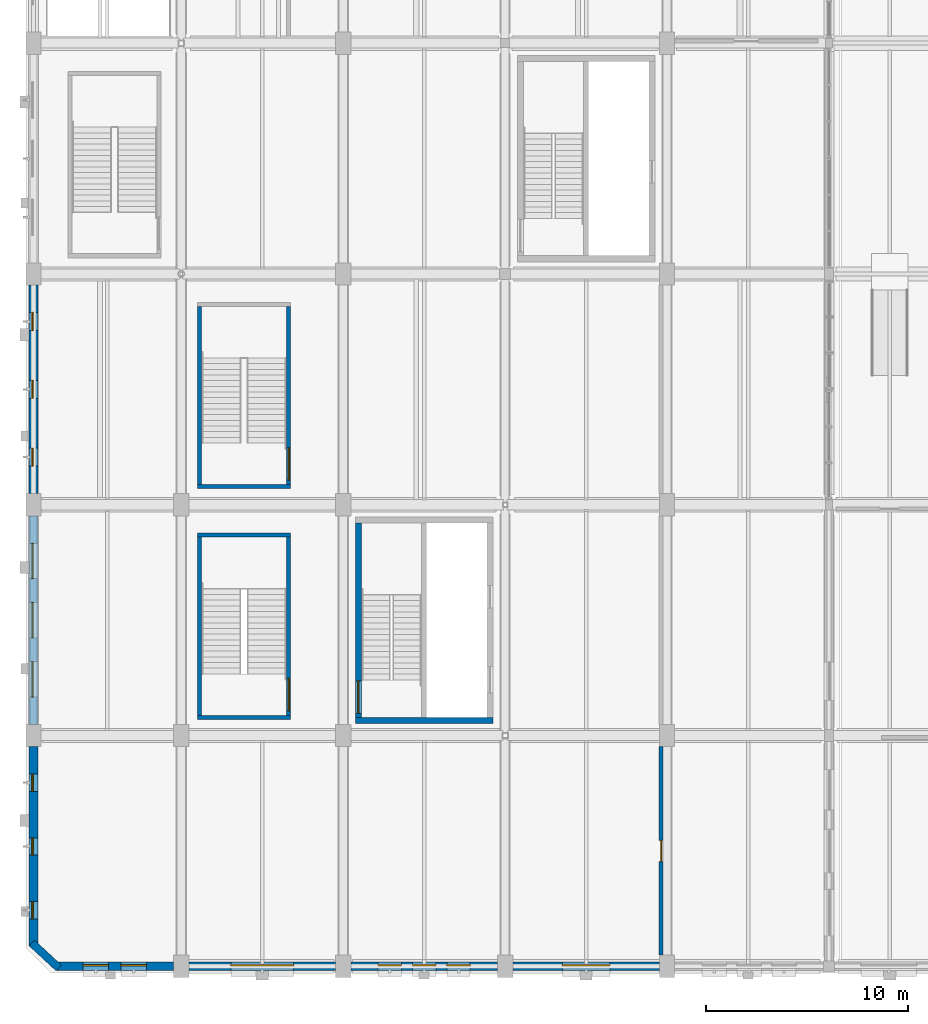
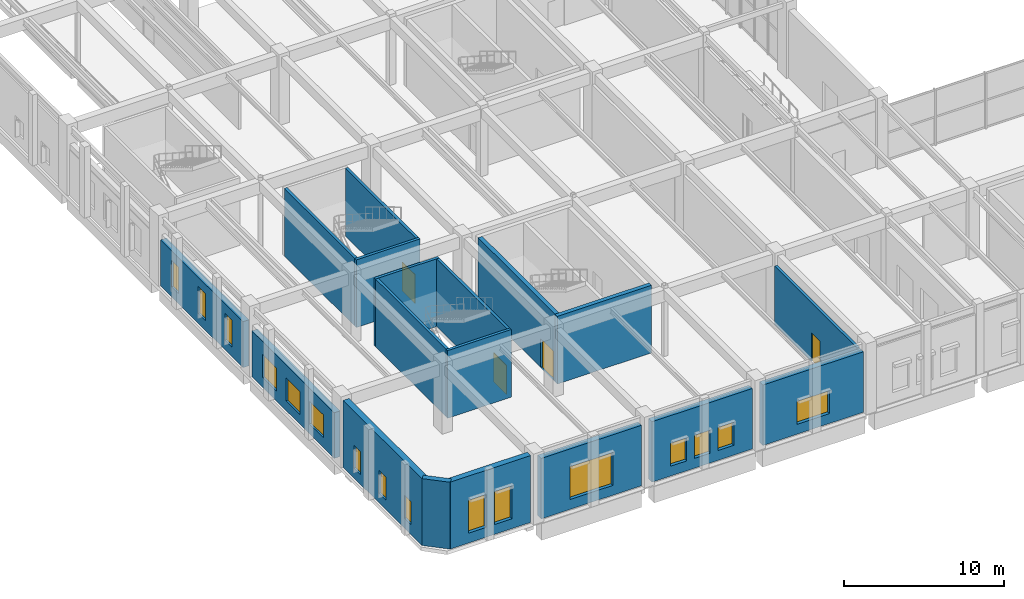
# One storey, part 82 of 113: 18 walls, 16 windows, 4 doors, 20 openings.
"""IFC4 building model written with IfcOpenShell, lengths in metres."""

from ifc_helpers import new_model, si_unit, direction, frame, frame_2d, origin, place, context, subcontext, project, spatial, rectangle, extrude, material, layer, layer_set, type_object, element, fill, save


model = new_model("IFC4")

# Units and contexts
model_context = context("Model", 3, precision=1e-05, world=origin(), true_north=direction((0.0, 1.0)))
body_context = subcontext(model_context, "Body", "Model", "MODEL_VIEW")
ifc_project = project(units=[si_unit("LENGTHUNIT", "METRE"), si_unit("AREAUNIT", "SQUARE_METRE"), si_unit("VOLUMEUNIT", "CUBIC_METRE"), si_unit("PLANEANGLEUNIT", "RADIAN"), si_unit("MASSUNIT", "GRAM", prefix="KILO"), si_unit("POWERUNIT", "WATT"), si_unit("THERMODYNAMICTEMPERATUREUNIT", "KELVIN")], contexts=[model_context])

# Site, building, storey
site_placement = place(None, origin())
site = spatial("IfcSite", under=ifc_project, at=site_placement, CompositionType="ELEMENT")
building_placement = place(site_placement, origin())
building = spatial("IfcBuilding", under=site, at=building_placement, Name="Kelmbourne Parkland Aquatics Centre", CompositionType="ELEMENT")
storey_placement = place(building_placement, origin())
storey = spatial("IfcBuildingStorey", under=building, at=storey_placement, Name="L00", CompositionType="ELEMENT", Elevation=0.0)

# Wall
ifc_material_1 = material(Name="Concrete C40/50", Category="concrete")
ifc_layer_1 = layer(ifc_material_1, 0.300048828125)
ifc_layer_set_1 = layer_set([ifc_layer_1], Name="Concrete C40/50")
wall_type_1 = type_object("IfcWallType", Name="W-CORE-300", PredefinedType="SHEAR", material=ifc_layer_set_1)
wall_1_placement = place(storey_placement, frame((16.60009765625, 12.949951171875, 0.0), z_axis=(0.0, 0.0, 1.0), x_axis=(1.0, 0.0, 0.0)))
element("IfcWall", 1, at=wall_1_placement, inside=storey, type_object=wall_type_1, Name="West Wing South Fire-Fighting Core south wall (L00)", PredefinedType="SHEAR", context=body_context, shape_type="SweptSolid", body=[
    extrude(rectangle(XDim=6.7998046875, YDim=0.300048828125, at=frame_2d((3.39990234375, 0.0))), origin(), (0.0, 0.0, 1.0), 5.159912109375),
])

# Wall, opening, door
wall_2_placement = place(storey_placement, frame((16.75, 13.10009765625, 0.0), z_axis=(0.0, 0.0, 1.0), x_axis=(0.0, 1.0, 0.0)))
wall_2 = element("IfcWall", 2, at=wall_2_placement, inside=storey, type_object=wall_type_1, Name="West Wing South Fire-Fighting Core west wall (L00)", PredefinedType="SHEAR", context=body_context, shape_type="SweptSolid", body=[
    extrude(rectangle(XDim=9.599853515625, YDim=0.300048828125, at=frame_2d((4.7998046875, 0.0))), origin(), (0.0, 0.0, 1.0), 5.159912109375),
])
opening_1_placement = place(wall_2_placement, frame((0.199951171875, 0.0, 0.0)))
opening_1 = element("IfcOpeningElement", 3, at=opening_1_placement, cuts=wall_2, Name="Opening FD02", PredefinedType="OPENING", context=body_context, shape_type="SweptSolid", body=[
    extrude(rectangle(XDim=1.60009765625, YDim=2.199951171875, at=frame_2d((0.800048828125, 1.10009765625))), frame((0.0, 0.162109375, 0.0), z_axis=(0.0, -1.0, 0.0), x_axis=(1.0, 0.0, 0.0)), (0.0, 0.0, 1.0), 0.323974609375),
])
ifc_material_2 = material(Name="Marine-grade stainless steel and fire-rated hardwood doorset", Category="steel")
ifc_layer_2 = layer(ifc_material_2, 0.050048828125)
ifc_layer_set_2 = layer_set([ifc_layer_2], Name="Marine-grade stainless steel and fire-rated hardwood doorset")
door_type_1 = type_object("IfcDoorType", Name="DR-FD-160", OperationType="NOTDEFINED", PredefinedType="DOOR", material=ifc_layer_set_2)
door_1_placement = place(opening_1_placement, origin())
door_1 = element("IfcDoor", 4, at=door_1_placement, inside=storey, type_object=door_type_1, Name="Fire stair door ST01 (L00)", OperationType="DOUBLE_DOOR_SINGLE_SWING", OverallHeight=2.199951171875, OverallWidth=1.60009765625, PredefinedType="DOOR", context=body_context, shape_type="SweptSolid", body=[
    extrude(rectangle(XDim=1.60009765625, YDim=2.199951171875, at=frame_2d((0.800048828125, 1.10009765625))), frame((0.0, 0.02490234375, 0.0), z_axis=(0.0, -1.0, 0.0), x_axis=(1.0, 0.0, 0.0)), (0.0, 0.0, 1.0), 0.050048828125),
])
fill(opening_1, door_1)

# Wall
ifc_material_3 = material(Name="Russet clinker clay brickwork", Category="masonry")
ifc_layer_3 = layer(ifc_material_3, 0.389892578125)
ifc_layer_set_3 = layer_set([ifc_layer_3], Name="Russet clinker clay brickwork")
wall_type_2 = type_object("IfcWallType", Name="W-EXT-390", PredefinedType="STANDARD", material=ifc_layer_set_3)
wall_3_placement = place(storey_placement, frame((0.6201171875, 1.949951171875, 0.0), z_axis=(0.0, 0.0, 1.0), x_axis=(0.734131351327, -0.679007480812, 0.0)))
element("IfcWall", 5, at=wall_3_placement, inside=storey, type_object=wall_type_2, Name="Stepped brick corner bevel CHAM-L00-SW", PredefinedType="STANDARD", context=body_context, shape_type="SweptSolid", body=[
    extrude(rectangle(XDim=1.8115234375, YDim=0.389892578125, at=frame_2d((0.90576171875, 0.0))), origin(), (0.0, 0.0, 1.0), 5.10009765625),
])

# Wall, openings, windows
ifc_material_4 = material(Name="Dark manganite base-course brickwork", Category="masonry")
ifc_layer_4 = layer(ifc_material_4, 0.429931640625)
ifc_layer_set_4 = layer_set([ifc_layer_4], Name="Dark manganite base-course brickwork")
wall_type_3 = type_object("IfcWallType", Name="W-EXT-430", PredefinedType="STANDARD", material=ifc_layer_set_4)
wall_4_placement = place(storey_placement, frame((0.699951171875, 1.800048828125, 0.0), z_axis=(0.0, 0.0, 1.0), x_axis=(0.0, 1.0, 0.0)))
wall_4 = element("IfcWall", 6, at=wall_4_placement, inside=storey, type_object=wall_type_3, Name="Exterior polychrome brick wall EW-L00-001", PredefinedType="STANDARD", context=body_context, shape_type="SweptSolid", body=[
    extrude(rectangle(XDim=9.847900390625, YDim=0.429931640625, at=frame_2d((4.923828125, 0.0))), origin(), (0.0, 0.0, 1.0), 5.10009765625),
])
opening_2_placement = place(wall_4_placement, frame((1.35009765625, 0.0, 0.75)))
opening_2 = element("IfcOpeningElement", 7, at=opening_2_placement, cuts=wall_4, Name="Opening W01", PredefinedType="OPENING", context=body_context, shape_type="SweptSolid", body=[
    extrude(rectangle(XDim=0.85009765625, YDim=1.75, at=frame_2d((0.425048828125, 0.875))), frame((0.0, 0.22705078125, 0.0), z_axis=(0.0, -1.0, 0.0), x_axis=(1.0, 0.0, 0.0)), (0.0, 0.0, 1.0), 0.453857421875),
])
opening_3_placement = place(wall_4_placement, frame((4.4990234375, 0.0, 0.75)))
opening_3 = element("IfcOpeningElement", 8, at=opening_3_placement, cuts=wall_4, Name="Opening W01", PredefinedType="OPENING", context=body_context, shape_type="SweptSolid", body=[
    extrude(rectangle(XDim=0.85009765625, YDim=1.75, at=frame_2d((0.425048828125, 0.875))), frame((0.0, 0.22705078125, 0.0), z_axis=(0.0, -1.0, 0.0), x_axis=(1.0, 0.0, 0.0)), (0.0, 0.0, 1.0), 0.453857421875),
])
opening_4_placement = place(wall_4_placement, frame((7.64794921875, 0.0, 0.75)))
opening_4 = element("IfcOpeningElement", 9, at=opening_4_placement, cuts=wall_4, Name="Opening W01", PredefinedType="OPENING", context=body_context, shape_type="SweptSolid", body=[
    extrude(rectangle(XDim=0.85009765625, YDim=1.75, at=frame_2d((0.425048828125, 0.875))), frame((0.0, 0.22705078125, 0.0), z_axis=(0.0, -1.0, 0.0), x_axis=(1.0, 0.0, 0.0)), (0.0, 0.0, 1.0), 0.453857421875),
])
ifc_material_5 = material(Name="Thermally broken anodised aluminium window with low-e glass", Category="aluminium")
ifc_layer_5 = layer(ifc_material_5, 0.090087890625)
ifc_layer_set_5 = layer_set([ifc_layer_5], Name="Thermally broken anodised aluminium window with low-e glass")
window_type_1 = type_object("IfcWindowType", Name="WN-01", PartitioningType="SINGLE_PANEL", PredefinedType="WINDOW", material=ifc_layer_set_5)
window_1_placement = place(opening_2_placement, origin())
window_1 = element("IfcWindow", 10, at=window_1_placement, inside=storey, type_object=window_type_1, Name="Deep-reveal masonry window W01", OverallHeight=1.75, OverallWidth=0.85009765625, PartitioningType="SINGLE_PANEL", PredefinedType="WINDOW", context=body_context, shape_type="SweptSolid", body=[
    extrude(rectangle(XDim=0.85009765625, YDim=1.75, at=frame_2d((0.425048828125, 0.875))), frame((0.0, 0.080078125, 0.0), z_axis=(0.0, -1.0, 0.0), x_axis=(1.0, 0.0, 0.0)), (0.0, 0.0, 1.0), 0.06005859375),
])
fill(opening_2, window_1)
window_2_placement = place(opening_3_placement, origin())
window_2 = element("IfcWindow", 11, at=window_2_placement, inside=storey, type_object=window_type_1, Name="Deep-reveal masonry window W01", OverallHeight=1.75, OverallWidth=0.85009765625, PartitioningType="SINGLE_PANEL", PredefinedType="WINDOW", context=body_context, shape_type="SweptSolid", body=[
    extrude(rectangle(XDim=0.85009765625, YDim=1.75, at=frame_2d((0.425048828125, 0.875))), frame((0.0, 0.080078125, 0.0), z_axis=(0.0, -1.0, 0.0), x_axis=(1.0, 0.0, 0.0)), (0.0, 0.0, 1.0), 0.06005859375),
])
fill(opening_3, window_2)
window_3_placement = place(opening_4_placement, origin())
window_3 = element("IfcWindow", 12, at=window_3_placement, inside=storey, type_object=window_type_1, Name="Deep-reveal masonry window W01", OverallHeight=1.75, OverallWidth=0.85009765625, PartitioningType="SINGLE_PANEL", PredefinedType="WINDOW", context=body_context, shape_type="SweptSolid", body=[
    extrude(rectangle(XDim=0.85009765625, YDim=1.75, at=frame_2d((0.425048828125, 0.875))), frame((0.0, 0.080078125, 0.0), z_axis=(0.0, -1.0, 0.0), x_axis=(1.0, 0.0, 0.0)), (0.0, 0.0, 1.0), 0.06005859375),
])
fill(opening_4, window_3)

wall_5_placement = place(storey_placement, frame((0.699951171875, 12.751953125, 0.0), z_axis=(0.0, 0.0, 1.0), x_axis=(0.0, 1.0, 0.0)))
wall_5 = element("IfcWall", 13, at=wall_5_placement, inside=storey, type_object=wall_type_3, Name="Exterior polychrome brick wall EW-L00-002", PredefinedType="STANDARD", context=body_context, shape_type="SweptSolid", body=[
    extrude(rectangle(XDim=10.296142578125, YDim=0.429931640625, at=frame_2d((5.14794921875, 0.0))), origin(), (0.0, 0.0, 1.0), 3.485107421875),
])
opening_5_placement = place(wall_5_placement, frame((1.35009765625, 0.0, 0.75)))
opening_5 = element("IfcOpeningElement", 14, at=opening_5_placement, cuts=wall_5, Name="Opening W04", PredefinedType="OPENING", context=body_context, shape_type="SweptSolid", body=[
    extrude(rectangle(XDim=1.75, YDim=1.75, at=frame_2d((0.875, 0.875))), frame((0.0, 0.22705078125, 0.0), z_axis=(0.0, -1.0, 0.0), x_axis=(1.0, 0.0, 0.0)), (0.0, 0.0, 1.0), 0.453857421875),
])
opening_6_placement = place(wall_5_placement, frame((4.27294921875, 0.0, 0.75)))
opening_6 = element("IfcOpeningElement", 15, at=opening_6_placement, cuts=wall_5, Name="Opening W04", PredefinedType="OPENING", context=body_context, shape_type="SweptSolid", body=[
    extrude(rectangle(XDim=1.75, YDim=1.75, at=frame_2d((0.875, 0.875))), frame((0.0, 0.22705078125, 0.0), z_axis=(0.0, -1.0, 0.0), x_axis=(1.0, 0.0, 0.0)), (0.0, 0.0, 1.0), 0.453857421875),
])
opening_7_placement = place(wall_5_placement, frame((7.196044921875, 0.0, 0.75)))
opening_7 = element("IfcOpeningElement", 16, at=opening_7_placement, cuts=wall_5, Name="Opening W04", PredefinedType="OPENING", context=body_context, shape_type="SweptSolid", body=[
    extrude(rectangle(XDim=1.75, YDim=1.75, at=frame_2d((0.875, 0.875))), frame((0.0, 0.22705078125, 0.0), z_axis=(0.0, -1.0, 0.0), x_axis=(1.0, 0.0, 0.0)), (0.0, 0.0, 1.0), 0.453857421875),
])
ifc_layer_6 = layer(ifc_material_5, 0.090087890625)
ifc_layer_set_6 = layer_set([ifc_layer_6], Name="Thermally broken anodised aluminium window with low-e glass")
window_type_2 = type_object("IfcWindowType", Name="WN-04", PartitioningType="DOUBLE_PANEL_VERTICAL", PredefinedType="WINDOW", material=ifc_layer_set_6)
window_4_placement = place(opening_5_placement, origin())
window_4 = element("IfcWindow", 17, at=window_4_placement, inside=storey, type_object=window_type_2, Name="Deep-reveal masonry window W04", OverallHeight=1.75, OverallWidth=1.75, PartitioningType="DOUBLE_PANEL_VERTICAL", PredefinedType="WINDOW", context=body_context, shape_type="SweptSolid", body=[
    extrude(rectangle(XDim=1.75, YDim=1.75, at=frame_2d((0.875, 0.875))), frame((0.0, 0.080078125, 0.0), z_axis=(0.0, -1.0, 0.0), x_axis=(1.0, 0.0, 0.0)), (0.0, 0.0, 1.0), 0.06005859375),
])
fill(opening_5, window_4)
window_5_placement = place(opening_6_placement, origin())
window_5 = element("IfcWindow", 18, at=window_5_placement, inside=storey, type_object=window_type_2, Name="Deep-reveal masonry window W04", OverallHeight=1.75, OverallWidth=1.75, PartitioningType="DOUBLE_PANEL_VERTICAL", PredefinedType="WINDOW", context=body_context, shape_type="SweptSolid", body=[
    extrude(rectangle(XDim=1.75, YDim=1.75, at=frame_2d((0.875, 0.875))), frame((0.0, 0.080078125, 0.0), z_axis=(0.0, -1.0, 0.0), x_axis=(1.0, 0.0, 0.0)), (0.0, 0.0, 1.0), 0.06005859375),
])
fill(opening_6, window_5)
window_6_placement = place(opening_7_placement, origin())
window_6 = element("IfcWindow", 19, at=window_6_placement, inside=storey, type_object=window_type_2, Name="Deep-reveal masonry window W04", OverallHeight=1.75, OverallWidth=1.75, PartitioningType="DOUBLE_PANEL_VERTICAL", PredefinedType="WINDOW", context=body_context, shape_type="SweptSolid", body=[
    extrude(rectangle(XDim=1.75, YDim=1.75, at=frame_2d((0.875, 0.875))), frame((0.0, 0.080078125, 0.0), z_axis=(0.0, -1.0, 0.0), x_axis=(1.0, 0.0, 0.0)), (0.0, 0.0, 1.0), 0.06005859375),
])
fill(opening_7, window_6)

wall_6_placement = place(storey_placement, frame((0.699951171875, 24.152099609375, 0.0), z_axis=(0.0, 0.0, 1.0), x_axis=(0.0, 1.0, 0.0)))
wall_6 = element("IfcWall", 20, at=wall_6_placement, inside=storey, type_object=wall_type_3, Name="Exterior polychrome brick wall EW-L00-003", PredefinedType="STANDARD", context=body_context, shape_type="SweptSolid", body=[
    extrude(rectangle(XDim=10.2958984375, YDim=0.429931640625, at=frame_2d((5.14794921875, 0.0))), origin(), (0.0, 0.0, 1.0), 3.510009765625),
])
opening_8_placement = place(wall_6_placement, frame((1.35009765625, 0.0, 0.75)))
opening_8 = element("IfcOpeningElement", 21, at=opening_8_placement, cuts=wall_6, Name="Opening W07", PredefinedType="OPENING", context=body_context, shape_type="SweptSolid", body=[
    extrude(rectangle(XDim=0.89990234375, YDim=2.050048828125, at=frame_2d((0.449951171875, 1.02490234375))), frame((0.0, 0.22705078125, 0.0), z_axis=(0.0, -1.0, 0.0), x_axis=(1.0, 0.0, 0.0)), (0.0, 0.0, 1.0), 0.453857421875),
])
opening_9_placement = place(wall_6_placement, frame((4.697998046875, 0.0, 0.75)))
opening_9 = element("IfcOpeningElement", 22, at=opening_9_placement, cuts=wall_6, Name="Opening W07", PredefinedType="OPENING", context=body_context, shape_type="SweptSolid", body=[
    extrude(rectangle(XDim=0.89990234375, YDim=2.050048828125, at=frame_2d((0.449951171875, 1.02490234375))), frame((0.0, 0.22705078125, 0.0), z_axis=(0.0, -1.0, 0.0), x_axis=(1.0, 0.0, 0.0)), (0.0, 0.0, 1.0), 0.453857421875),
])
opening_10_placement = place(wall_6_placement, frame((8.0458984375, 0.0, 0.75)))
opening_10 = element("IfcOpeningElement", 23, at=opening_10_placement, cuts=wall_6, Name="Opening W07", PredefinedType="OPENING", context=body_context, shape_type="SweptSolid", body=[
    extrude(rectangle(XDim=0.89990234375, YDim=2.050048828125, at=frame_2d((0.449951171875, 1.02490234375))), frame((0.0, 0.22705078125, 0.0), z_axis=(0.0, -1.0, 0.0), x_axis=(1.0, 0.0, 0.0)), (0.0, 0.0, 1.0), 0.453857421875),
])
ifc_layer_7 = layer(ifc_material_5, 0.090087890625)
ifc_layer_set_7 = layer_set([ifc_layer_7], Name="Thermally broken anodised aluminium window with low-e glass")
window_type_3 = type_object("IfcWindowType", Name="WN-07", PartitioningType="SINGLE_PANEL", PredefinedType="WINDOW", material=ifc_layer_set_7)
window_7_placement = place(opening_8_placement, origin())
window_7 = element("IfcWindow", 24, at=window_7_placement, inside=storey, type_object=window_type_3, Name="Deep-reveal masonry window W07", OverallHeight=2.050048828125, OverallWidth=0.89990234375, PartitioningType="SINGLE_PANEL", PredefinedType="WINDOW", context=body_context, shape_type="SweptSolid", body=[
    extrude(rectangle(XDim=0.89990234375, YDim=2.050048828125, at=frame_2d((0.449951171875, 1.02490234375))), frame((0.0, 0.080078125, 0.0), z_axis=(0.0, -1.0, 0.0), x_axis=(1.0, 0.0, 0.0)), (0.0, 0.0, 1.0), 0.06005859375),
])
fill(opening_8, window_7)
window_8_placement = place(opening_9_placement, origin())
window_8 = element("IfcWindow", 25, at=window_8_placement, inside=storey, type_object=window_type_3, Name="Deep-reveal masonry window W07", OverallHeight=2.050048828125, OverallWidth=0.89990234375, PartitioningType="SINGLE_PANEL", PredefinedType="WINDOW", context=body_context, shape_type="SweptSolid", body=[
    extrude(rectangle(XDim=0.89990234375, YDim=2.050048828125, at=frame_2d((0.449951171875, 1.02490234375))), frame((0.0, 0.080078125, 0.0), z_axis=(0.0, -1.0, 0.0), x_axis=(1.0, 0.0, 0.0)), (0.0, 0.0, 1.0), 0.06005859375),
])
fill(opening_9, window_8)
window_9_placement = place(opening_10_placement, origin())
window_9 = element("IfcWindow", 26, at=window_9_placement, inside=storey, type_object=window_type_3, Name="Deep-reveal masonry window W07", OverallHeight=2.050048828125, OverallWidth=0.89990234375, PartitioningType="SINGLE_PANEL", PredefinedType="WINDOW", context=body_context, shape_type="SweptSolid", body=[
    extrude(rectangle(XDim=0.89990234375, YDim=2.050048828125, at=frame_2d((0.449951171875, 1.02490234375))), frame((0.0, 0.080078125, 0.0), z_axis=(0.0, -1.0, 0.0), x_axis=(1.0, 0.0, 0.0)), (0.0, 0.0, 1.0), 0.06005859375),
])
fill(opening_10, window_9)

wall_7_placement = place(storey_placement, frame((1.800048828125, 0.800048828125, 0.0), z_axis=(0.0, 0.0, 1.0), x_axis=(1.0, 0.0, 0.0)))
wall_7 = element("IfcWall", 27, at=wall_7_placement, inside=storey, type_object=wall_type_3, Name="Exterior polychrome brick wall EW-L00-010", PredefinedType="STANDARD", context=body_context, shape_type="SweptSolid", body=[
    extrude(rectangle(XDim=5.822998046875, YDim=0.429931640625, at=frame_2d((2.91162109375, 0.0))), origin(), (0.0, 0.0, 1.0), 5.10009765625),
])
opening_11_placement = place(wall_7_placement, frame((1.35009765625, 0.0, 0.75)))
opening_11 = element("IfcOpeningElement", 28, at=opening_11_placement, cuts=wall_7, Name="Opening W25", PredefinedType="OPENING", context=body_context, shape_type="SweptSolid", body=[
    extrude(rectangle(XDim=1.25, YDim=2.5, at=frame_2d((0.625, 1.25))), frame((0.0, 0.22705078125, 0.0), z_axis=(0.0, -1.0, 0.0), x_axis=(1.0, 0.0, 0.0)), (0.0, 0.0, 1.0), 0.453857421875),
])
opening_12_placement = place(wall_7_placement, frame((3.222900390625, 0.0, 0.75)))
opening_12 = element("IfcOpeningElement", 29, at=opening_12_placement, cuts=wall_7, Name="Opening W25", PredefinedType="OPENING", context=body_context, shape_type="SweptSolid", body=[
    extrude(rectangle(XDim=1.25, YDim=2.5, at=frame_2d((0.625, 1.25))), frame((0.0, 0.22705078125, 0.0), z_axis=(0.0, -1.0, 0.0), x_axis=(1.0, 0.0, 0.0)), (0.0, 0.0, 1.0), 0.453857421875),
])
ifc_layer_8 = layer(ifc_material_5, 0.090087890625)
ifc_layer_set_8 = layer_set([ifc_layer_8], Name="Thermally broken anodised aluminium window with low-e glass")
window_type_4 = type_object("IfcWindowType", Name="WN-25", PartitioningType="SINGLE_PANEL", PredefinedType="WINDOW", material=ifc_layer_set_8)
window_10_placement = place(opening_11_placement, origin())
window_10 = element("IfcWindow", 30, at=window_10_placement, inside=storey, type_object=window_type_4, Name="Deep-reveal masonry window W25", OverallHeight=2.5, OverallWidth=1.25, PartitioningType="SINGLE_PANEL", PredefinedType="WINDOW", context=body_context, shape_type="SweptSolid", body=[
    extrude(rectangle(XDim=1.25, YDim=2.5, at=frame_2d((0.625, 1.25))), frame((0.0, 0.080078125, 0.0), z_axis=(0.0, -1.0, 0.0), x_axis=(1.0, 0.0, 0.0)), (0.0, 0.0, 1.0), 0.06005859375),
])
fill(opening_11, window_10)
window_11_placement = place(opening_12_placement, origin())
window_11 = element("IfcWindow", 31, at=window_11_placement, inside=storey, type_object=window_type_4, Name="Deep-reveal masonry window W25", OverallHeight=2.5, OverallWidth=1.25, PartitioningType="SINGLE_PANEL", PredefinedType="WINDOW", context=body_context, shape_type="SweptSolid", body=[
    extrude(rectangle(XDim=1.25, YDim=2.5, at=frame_2d((0.625, 1.25))), frame((0.0, 0.080078125, 0.0), z_axis=(0.0, -1.0, 0.0), x_axis=(1.0, 0.0, 0.0)), (0.0, 0.0, 1.0), 0.06005859375),
])
fill(opening_12, window_11)

# Wall, opening, window
wall_8_placement = place(storey_placement, frame((8.376953125, 0.800048828125, 0.0), z_axis=(0.0, 0.0, 1.0), x_axis=(1.0, 0.0, 0.0)))
wall_8 = element("IfcWall", 32, at=wall_8_placement, inside=storey, type_object=wall_type_3, Name="Exterior polychrome brick wall EW-L00-011", PredefinedType="STANDARD", context=body_context, shape_type="SweptSolid", body=[
    extrude(rectangle(XDim=7.24609375, YDim=0.429931640625, at=frame_2d((3.623046875, 0.0))), origin(), (0.0, 0.0, 1.0), 4.612060546875),
])
opening_13_placement = place(wall_8_placement, frame((2.072998046875, 0.0, 0.75)))
opening_13 = element("IfcOpeningElement", 33, at=opening_13_placement, cuts=wall_8, Name="Opening W28", PredefinedType="OPENING", context=body_context, shape_type="SweptSolid", body=[
    extrude(rectangle(XDim=3.10009765625, YDim=2.5, at=frame_2d((1.550048828125, 1.25))), frame((0.0, 0.22705078125, 0.0), z_axis=(0.0, -1.0, 0.0), x_axis=(1.0, 0.0, 0.0)), (0.0, 0.0, 1.0), 0.453857421875),
])
ifc_layer_9 = layer(ifc_material_5, 0.090087890625)
ifc_layer_set_9 = layer_set([ifc_layer_9], Name="Thermally broken anodised aluminium window with low-e glass")
window_type_5 = type_object("IfcWindowType", Name="WN-28", PartitioningType="TRIPLE_PANEL_VERTICAL", PredefinedType="WINDOW", material=ifc_layer_set_9)
window_12_placement = place(opening_13_placement, origin())
window_12 = element("IfcWindow", 34, at=window_12_placement, inside=storey, type_object=window_type_5, Name="Deep-reveal masonry window W28", OverallHeight=2.5, OverallWidth=3.10009765625, PartitioningType="TRIPLE_PANEL_VERTICAL", PredefinedType="WINDOW", context=body_context, shape_type="SweptSolid", body=[
    extrude(rectangle(XDim=3.10009765625, YDim=2.5, at=frame_2d((1.550048828125, 1.25))), frame((0.0, 0.080078125, 0.0), z_axis=(0.0, -1.0, 0.0), x_axis=(1.0, 0.0, 0.0)), (0.0, 0.0, 1.0), 0.06005859375),
])
fill(opening_13, window_12)

# Wall, openings, windows
wall_9_placement = place(storey_placement, frame((16.376953125, 0.800048828125, 0.0), z_axis=(0.0, 0.0, 1.0), x_axis=(1.0, 0.0, 0.0)))
wall_9 = element("IfcWall", 35, at=wall_9_placement, inside=storey, type_object=wall_type_3, Name="Exterior polychrome brick wall EW-L00-012", PredefinedType="STANDARD", context=body_context, shape_type="SweptSolid", body=[
    extrude(rectangle(XDim=7.24609375, YDim=0.429931640625, at=frame_2d((3.623046875, 0.0))), origin(), (0.0, 0.0, 1.0), 4.612060546875),
])
opening_14_placement = place(wall_9_placement, frame((1.35009765625, 0.0, 0.75)))
opening_14 = element("IfcOpeningElement", 36, at=opening_14_placement, cuts=wall_9, Name="Opening W02", PredefinedType="OPENING", context=body_context, shape_type="SweptSolid", body=[
    extrude(rectangle(XDim=1.14990234375, YDim=1.75, at=frame_2d((0.574951171875, 0.875))), frame((0.0, 0.22705078125, 0.0), z_axis=(0.0, -1.0, 0.0), x_axis=(1.0, 0.0, 0.0)), (0.0, 0.0, 1.0), 0.453857421875),
])
opening_15_placement = place(wall_9_placement, frame((3.048095703125, 0.0, 0.75)))
opening_15 = element("IfcOpeningElement", 37, at=opening_15_placement, cuts=wall_9, Name="Opening W02", PredefinedType="OPENING", context=body_context, shape_type="SweptSolid", body=[
    extrude(rectangle(XDim=1.14990234375, YDim=1.75, at=frame_2d((0.574951171875, 0.875))), frame((0.0, 0.22705078125, 0.0), z_axis=(0.0, -1.0, 0.0), x_axis=(1.0, 0.0, 0.0)), (0.0, 0.0, 1.0), 0.453857421875),
])
opening_16_placement = place(wall_9_placement, frame((4.74609375, 0.0, 0.75)))
opening_16 = element("IfcOpeningElement", 38, at=opening_16_placement, cuts=wall_9, Name="Opening W02", PredefinedType="OPENING", context=body_context, shape_type="SweptSolid", body=[
    extrude(rectangle(XDim=1.14990234375, YDim=1.75, at=frame_2d((0.574951171875, 0.875))), frame((0.0, 0.22705078125, 0.0), z_axis=(0.0, -1.0, 0.0), x_axis=(1.0, 0.0, 0.0)), (0.0, 0.0, 1.0), 0.453857421875),
])
ifc_layer_10 = layer(ifc_material_5, 0.090087890625)
ifc_layer_set_10 = layer_set([ifc_layer_10], Name="Thermally broken anodised aluminium window with low-e glass")
window_type_6 = type_object("IfcWindowType", Name="WN-02", PartitioningType="SINGLE_PANEL", PredefinedType="WINDOW", material=ifc_layer_set_10)
window_13_placement = place(opening_14_placement, origin())
window_13 = element("IfcWindow", 39, at=window_13_placement, inside=storey, type_object=window_type_6, Name="Deep-reveal masonry window W02", OverallHeight=1.75, OverallWidth=1.14990234375, PartitioningType="SINGLE_PANEL", PredefinedType="WINDOW", context=body_context, shape_type="SweptSolid", body=[
    extrude(rectangle(XDim=1.14990234375, YDim=1.75, at=frame_2d((0.574951171875, 0.875))), frame((0.0, 0.080078125, 0.0), z_axis=(0.0, -1.0, 0.0), x_axis=(1.0, 0.0, 0.0)), (0.0, 0.0, 1.0), 0.06005859375),
])
fill(opening_14, window_13)
window_14_placement = place(opening_15_placement, origin())
window_14 = element("IfcWindow", 40, at=window_14_placement, inside=storey, type_object=window_type_6, Name="Deep-reveal masonry window W02", OverallHeight=1.75, OverallWidth=1.14990234375, PartitioningType="SINGLE_PANEL", PredefinedType="WINDOW", context=body_context, shape_type="SweptSolid", body=[
    extrude(rectangle(XDim=1.14990234375, YDim=1.75, at=frame_2d((0.574951171875, 0.875))), frame((0.0, 0.080078125, 0.0), z_axis=(0.0, -1.0, 0.0), x_axis=(1.0, 0.0, 0.0)), (0.0, 0.0, 1.0), 0.06005859375),
])
fill(opening_15, window_14)
window_15_placement = place(opening_16_placement, origin())
window_15 = element("IfcWindow", 41, at=window_15_placement, inside=storey, type_object=window_type_6, Name="Deep-reveal masonry window W02", OverallHeight=1.75, OverallWidth=1.14990234375, PartitioningType="SINGLE_PANEL", PredefinedType="WINDOW", context=body_context, shape_type="SweptSolid", body=[
    extrude(rectangle(XDim=1.14990234375, YDim=1.75, at=frame_2d((0.574951171875, 0.875))), frame((0.0, 0.080078125, 0.0), z_axis=(0.0, -1.0, 0.0), x_axis=(1.0, 0.0, 0.0)), (0.0, 0.0, 1.0), 0.06005859375),
])
fill(opening_16, window_15)

# Wall, opening, window
wall_10_placement = place(storey_placement, frame((24.376953125, 0.800048828125, 0.0), z_axis=(0.0, 0.0, 1.0), x_axis=(1.0, 0.0, 0.0)))
wall_10 = element("IfcWall", 42, at=wall_10_placement, inside=storey, type_object=wall_type_3, Name="Exterior polychrome brick wall EW-L00-013", PredefinedType="STANDARD", context=body_context, shape_type="SweptSolid", body=[
    extrude(rectangle(XDim=7.24609375, YDim=0.429931640625, at=frame_2d((3.623046875, 0.0))), origin(), (0.0, 0.0, 1.0), 4.612060546875),
])
opening_17_placement = place(wall_10_placement, frame((2.447998046875, 0.0, 0.75)))
opening_17 = element("IfcOpeningElement", 43, at=opening_17_placement, cuts=wall_10, Name="Opening W06", PredefinedType="OPENING", context=body_context, shape_type="SweptSolid", body=[
    extrude(rectangle(XDim=2.35009765625, YDim=1.75, at=frame_2d((1.175048828125, 0.875))), frame((0.0, 0.22705078125, 0.0), z_axis=(0.0, -1.0, 0.0), x_axis=(1.0, 0.0, 0.0)), (0.0, 0.0, 1.0), 0.453857421875),
])
ifc_layer_11 = layer(ifc_material_5, 0.090087890625)
ifc_layer_set_11 = layer_set([ifc_layer_11], Name="Thermally broken anodised aluminium window with low-e glass")
window_type_7 = type_object("IfcWindowType", Name="WN-06", PartitioningType="TRIPLE_PANEL_VERTICAL", PredefinedType="WINDOW", material=ifc_layer_set_11)
window_16_placement = place(opening_17_placement, origin())
window_16 = element("IfcWindow", 44, at=window_16_placement, inside=storey, type_object=window_type_7, Name="Deep-reveal masonry window W06", OverallHeight=1.75, OverallWidth=2.35009765625, PartitioningType="TRIPLE_PANEL_VERTICAL", PredefinedType="WINDOW", context=body_context, shape_type="SweptSolid", body=[
    extrude(rectangle(XDim=2.35009765625, YDim=1.75, at=frame_2d((1.175048828125, 0.875))), frame((0.0, 0.080078125, 0.0), z_axis=(0.0, -1.0, 0.0), x_axis=(1.0, 0.0, 0.0)), (0.0, 0.0, 1.0), 0.06005859375),
])
fill(opening_17, window_16)

# Walls
ifc_material_6 = material(Name="Concrete blockwork C32/40", Category="masonry")
ifc_layer_12 = layer(ifc_material_6, 0.199951171875)
ifc_layer_set_12 = layer_set([ifc_layer_12], Name="Concrete blockwork C32/40")
wall_type_4 = type_object("IfcWallType", Name="W-FIRE-200", PredefinedType="SOLIDWALL", material=ifc_layer_set_12)
for number, where, z_axis, x_axis, name in (
    (45, (8.800048828125, 13.10009765625, 0.0), (0.0, 0.0, 1.0), (1.0, 0.0, 0.0), "West South Perimeter Exit Stair south enclosure (L00)"),
    (46, (8.800048828125, 22.10009765625, 0.0), (0.0, 0.0, 1.0), (1.0, 0.0, 0.0), "West South Perimeter Exit Stair north enclosure (L00)"),
):
    element("IfcWall", number, at=place(storey_placement, frame(where, z_axis=z_axis, x_axis=x_axis)), inside=storey, type_object=wall_type_4, Name=name, PredefinedType="SOLIDWALL", context=body_context, shape_type="SweptSolid", body=[
        extrude(rectangle(XDim=4.599853515625, YDim=0.199951171875, at=frame_2d((2.2998046875, 0.0))), origin(), (0.0, 0.0, 1.0), 5.159912109375),
    ])
wall_11_placement = place(storey_placement, frame((8.89990234375, 13.199951171875, 0.0), z_axis=(0.0, 0.0, 1.0), x_axis=(0.0, 1.0, 0.0)))
element("IfcWall", 47, at=wall_11_placement, inside=storey, type_object=wall_type_4, Name="West South Perimeter Exit Stair west enclosure (L00)", PredefinedType="SOLIDWALL", context=body_context, shape_type="SweptSolid", body=[
    extrude(rectangle(XDim=8.800048828125, YDim=0.199951171875, at=frame_2d((4.39990234375, 0.0))), origin(), (0.0, 0.0, 1.0), 5.159912109375),
])

# Wall, opening, door
wall_12_placement = place(storey_placement, frame((13.300048828125, 13.199951171875, 0.0), z_axis=(0.0, 0.0, 1.0), x_axis=(0.0, 1.0, 0.0)))
wall_12 = element("IfcWall", 48, at=wall_12_placement, inside=storey, type_object=wall_type_4, Name="West South Perimeter Exit Stair east enclosure (L00)", PredefinedType="SOLIDWALL", context=body_context, shape_type="SweptSolid", body=[
    extrude(rectangle(XDim=8.800048828125, YDim=0.199951171875, at=frame_2d((4.39990234375, 0.0))), origin(), (0.0, 0.0, 1.0), 5.159912109375),
])
opening_18_placement = place(wall_12_placement, frame((0.219970703125, 0.0, 0.0)))
opening_18 = element("IfcOpeningElement", 49, at=opening_18_placement, cuts=wall_12, Name="Opening FD02", PredefinedType="OPENING", context=body_context, shape_type="SweptSolid", body=[
    extrude(rectangle(XDim=1.60009765625, YDim=2.199951171875, at=frame_2d((0.800048828125, 1.10009765625))), frame((0.0, 0.11181640625, 0.0), z_axis=(0.0, -1.0, 0.0), x_axis=(1.0, 0.0, 0.0)), (0.0, 0.0, 1.0), 0.223876953125),
])
door_2_placement = place(opening_18_placement, frame((1.60009765625, 0.0, 0.0), z_axis=(0.0, 0.0, 1.0), x_axis=(-1.0, 0.0, 0.0)))
door_2 = element("IfcDoor", 50, at=door_2_placement, inside=storey, type_object=door_type_1, Name="Exit stair fire door ST06 (L00)", OperationType="DOUBLE_DOOR_SINGLE_SWING", OverallHeight=2.199951171875, OverallWidth=1.60009765625, PredefinedType="DOOR", context=body_context, shape_type="SweptSolid", body=[
    extrude(rectangle(XDim=1.60009765625, YDim=2.199951171875, at=frame_2d((0.800048828125, 1.10009765625))), frame((0.0, 0.02490234375, 0.0), z_axis=(0.0, -1.0, 0.0), x_axis=(1.0, 0.0, 0.0)), (0.0, 0.0, 1.0), 0.050048828125),
])
fill(opening_18, door_2)

# Walls
wall_13_placement = place(storey_placement, frame((8.800048828125, 24.5, 0.0), z_axis=(0.0, 0.0, 1.0), x_axis=(1.0, 0.0, 0.0)))
element("IfcWall", 51, at=wall_13_placement, inside=storey, type_object=wall_type_4, Name="West Central Park Exit Stair south enclosure (L00)", PredefinedType="SOLIDWALL", context=body_context, shape_type="SweptSolid", body=[
    extrude(rectangle(XDim=4.599853515625, YDim=0.199951171875, at=frame_2d((2.2998046875, 0.0))), origin(), (0.0, 0.0, 1.0), 5.159912109375),
])
wall_14_placement = place(storey_placement, frame((8.89990234375, 24.60009765625, 0.0), z_axis=(0.0, 0.0, 1.0), x_axis=(0.0, 1.0, 0.0)))
element("IfcWall", 52, at=wall_14_placement, inside=storey, type_object=wall_type_4, Name="West Central Park Exit Stair west enclosure (L00)", PredefinedType="SOLIDWALL", context=body_context, shape_type="SweptSolid", body=[
    extrude(rectangle(XDim=8.7998046875, YDim=0.199951171875, at=frame_2d((4.39990234375, 0.0))), origin(), (0.0, 0.0, 1.0), 5.159912109375),
])

# Wall, opening, door
wall_15_placement = place(storey_placement, frame((13.300048828125, 24.60009765625, 0.0), z_axis=(0.0, 0.0, 1.0), x_axis=(0.0, 1.0, 0.0)))
wall_15 = element("IfcWall", 53, at=wall_15_placement, inside=storey, type_object=wall_type_4, Name="West Central Park Exit Stair east enclosure (L00)", PredefinedType="SOLIDWALL", context=body_context, shape_type="SweptSolid", body=[
    extrude(rectangle(XDim=8.7998046875, YDim=0.199951171875, at=frame_2d((4.39990234375, 0.0))), origin(), (0.0, 0.0, 1.0), 5.159912109375),
])
opening_19_placement = place(wall_15_placement, frame((0.219970703125, 0.0, 0.0)))
opening_19 = element("IfcOpeningElement", 54, at=opening_19_placement, cuts=wall_15, Name="Opening FD02", PredefinedType="OPENING", context=body_context, shape_type="SweptSolid", body=[
    extrude(rectangle(XDim=1.60009765625, YDim=2.199951171875, at=frame_2d((0.800048828125, 1.10009765625))), frame((0.0, 0.11181640625, 0.0), z_axis=(0.0, -1.0, 0.0), x_axis=(1.0, 0.0, 0.0)), (0.0, 0.0, 1.0), 0.223876953125),
])
door_3_placement = place(opening_19_placement, frame((1.60009765625, 0.0, 0.0), z_axis=(0.0, 0.0, 1.0), x_axis=(-1.0, 0.0, 0.0)))
door_3 = element("IfcDoor", 55, at=door_3_placement, inside=storey, type_object=door_type_1, Name="Exit stair fire door ST07 (L00)", OperationType="DOUBLE_DOOR_SINGLE_SWING", OverallHeight=2.199951171875, OverallWidth=1.60009765625, PredefinedType="DOOR", context=body_context, shape_type="SweptSolid", body=[
    extrude(rectangle(XDim=1.60009765625, YDim=2.199951171875, at=frame_2d((0.800048828125, 1.10009765625))), frame((0.0, 0.02490234375, 0.0), z_axis=(0.0, -1.0, 0.0), x_axis=(1.0, 0.0, 0.0)), (0.0, 0.0, 1.0), 0.050048828125),
])
fill(opening_19, door_3)

ifc_layer_13 = layer(ifc_material_6, 0.18994140625)
ifc_layer_set_13 = layer_set([ifc_layer_13], Name="Concrete blockwork C32/40")
wall_type_5 = type_object("IfcWallType", Name="W-SOLID-190", PredefinedType="SOLIDWALL", material=ifc_layer_set_13)
wall_16_placement = place(storey_placement, frame((31.699951171875, 1.35205078125, 0.0), z_axis=(0.0, 0.0, 1.0), x_axis=(0.0, 1.0, 0.0)))
wall_16 = element("IfcWall", 56, at=wall_16_placement, inside=storey, type_object=wall_type_5, Name="Interior partition PT-L00-049", PredefinedType="SOLIDWALL", context=body_context, shape_type="SweptSolid", body=[
    extrude(rectangle(XDim=10.2958984375, YDim=0.18994140625, at=frame_2d((5.14794921875, 0.0))), origin(), (0.0, 0.0, 1.0), 4.445068359375),
])
opening_20_placement = place(wall_16_placement, frame((4.623046875, 0.0, 0.0)))
opening_20 = element("IfcOpeningElement", 57, at=opening_20_placement, cuts=wall_16, Name="Opening ID04", PredefinedType="OPENING", context=body_context, shape_type="SweptSolid", body=[
    extrude(rectangle(XDim=1.050048828125, YDim=2.14990234375, at=frame_2d((0.52490234375, 1.074951171875))), frame((0.0, 0.10693359375, 0.0), z_axis=(0.0, -1.0, 0.0), x_axis=(1.0, 0.0, 0.0)), (0.0, 0.0, 1.0), 0.2138671875),
])
ifc_material_7 = material(Name="Marine-grade stainless steel and solid-core hardwood doorset", Category="timber")
ifc_layer_14 = layer(ifc_material_7, 0.050048828125)
ifc_layer_set_14 = layer_set([ifc_layer_14], Name="Marine-grade stainless steel and solid-core hardwood doorset")
door_type_2 = type_object("IfcDoorType", Name="DR-INT-105", OperationType="NOTDEFINED", PredefinedType="DOOR", material=ifc_layer_set_14)
door_4_placement = place(opening_20_placement, origin())
door_4 = element("IfcDoor", 58, at=door_4_placement, inside=storey, type_object=door_type_2, Name="Interior door ID04 (L00-028)", OperationType="SINGLE_SWING_RIGHT", OverallHeight=2.14990234375, OverallWidth=1.050048828125, PredefinedType="DOOR", context=body_context, shape_type="SweptSolid", body=[
    extrude(rectangle(XDim=1.050048828125, YDim=2.14990234375, at=frame_2d((0.52490234375, 1.074951171875))), frame((0.0, 0.02490234375, 0.0), z_axis=(0.0, -1.0, 0.0), x_axis=(1.0, 0.0, 0.0)), (0.0, 0.0, 1.0), 0.050048828125),
])
fill(opening_20, door_4)

save(model, "model.ifc")
